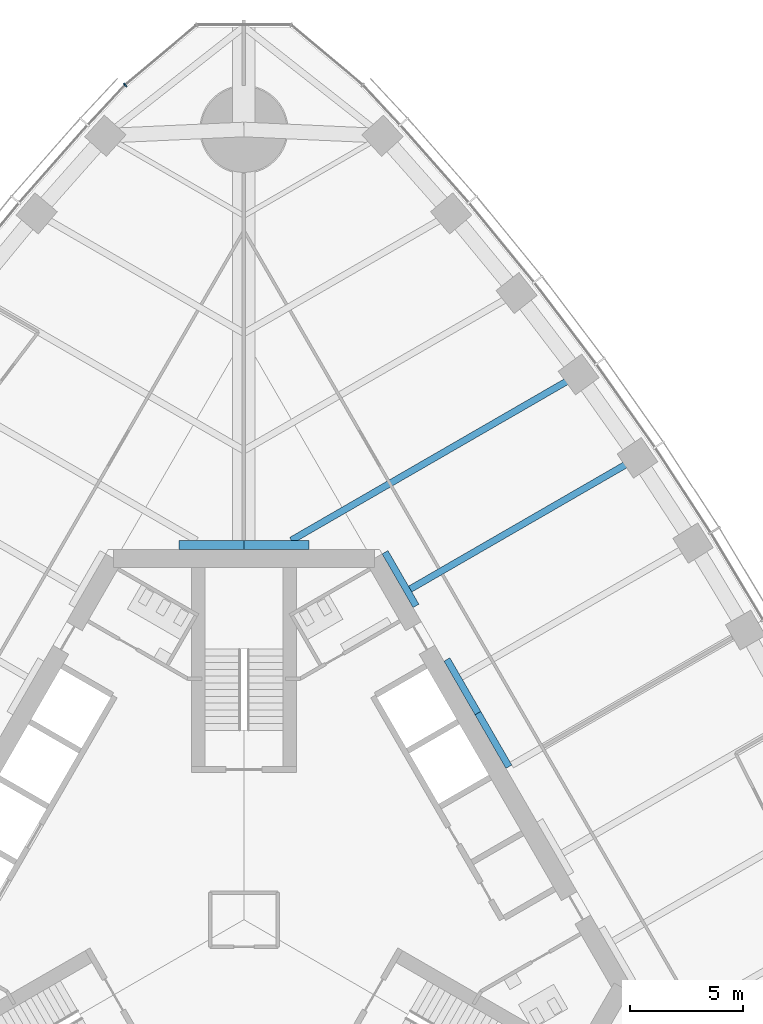
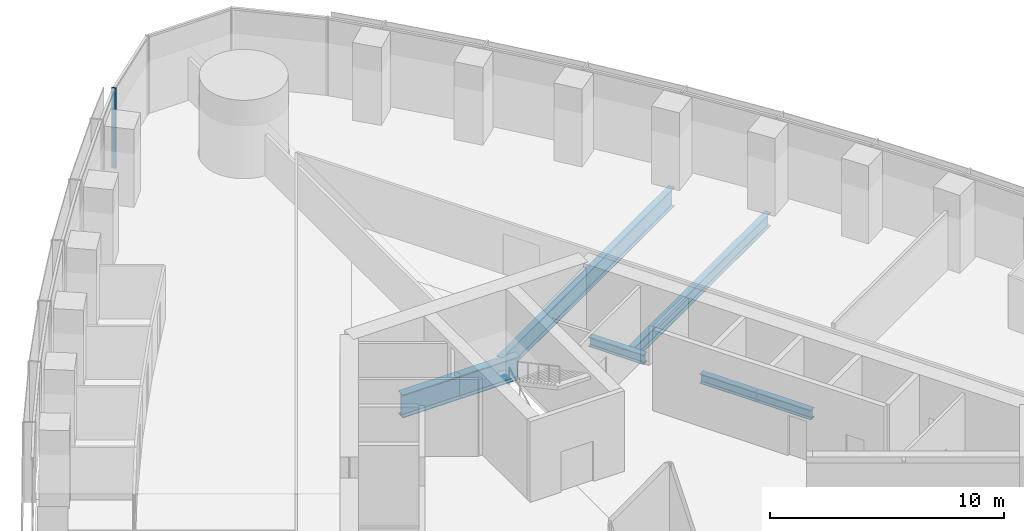
# One storey, part 5 of 19: 7 beams, 1 member, 1 element without a shape of its own.
"""IFC4 building model written with IfcOpenShell, lengths in metres."""

from ifc_helpers import new_model, si_unit, direction, frame, origin, origin_2d, place, context, subcontext, project, spatial, rectangle, i_section, extrude, material, material_profile, profile_set, type_object, element, aggregate, save


model = new_model("IFC4")

# Units and contexts
model_context = context("Model", 3, precision=1e-05, world=origin(), true_north=direction((0.0, 1.0)))
body_context = subcontext(model_context, "Body", "Model", "MODEL_VIEW")
ifc_project = project(units=[si_unit("LENGTHUNIT", "METRE"), si_unit("AREAUNIT", "SQUARE_METRE"), si_unit("VOLUMEUNIT", "CUBIC_METRE"), si_unit("PLANEANGLEUNIT", "RADIAN"), si_unit("MASSUNIT", "GRAM", prefix="KILO")], contexts=[model_context])

# Site, building, storey
site_placement = place(None, origin())
site = spatial("IfcSite", under=ifc_project, at=site_placement, CompositionType="ELEMENT")
building_placement = place(site_placement, origin())
building = spatial("IfcBuilding", under=site, at=building_placement, Name="Trefoil Bronze Tower", CompositionType="ELEMENT")
storey_placement = place(building_placement, frame((0.0, 0.0, 128.300048828125)))
storey = spatial("IfcBuildingStorey", under=building, at=storey_placement, Name="L29", CompositionType="ELEMENT", Elevation=128.300048828125)

# Curtain wall, member
ifc_material_1 = material(Name="Tinted solar-control glass", Category="glass")
curtain_wall_type = type_object("IfcCurtainWallType", Name="Bronze rounded corner curtain wall", PredefinedType="USERDEFINED", material=ifc_material_1)
curtain_wall_placement = place(storey_placement, origin())
curtain_wall = element("IfcCurtainWall", 1, at=curtain_wall_placement, inside=storey, type_object=curtain_wall_type, Name="CW-B L29 K2", ObjectType="CURTAIN WALL", PredefinedType="USERDEFINED")
ifc_material_2 = material(Name="Bronze-finish aluminium", Category="aluminium")
ifc_material_profile_1 = material_profile(ifc_material_2, rectangle(XDim=0.199951171875, YDim=0.06005859375, at=origin_2d()), Name="CW-B mullion")
ifc_profile_set_1 = profile_set([ifc_material_profile_1], Name="Bronze-finish aluminium")
member_type = type_object("IfcMemberType", Name="Bronze rounded corner curtain wall mullion", PredefinedType="MULLION", material=ifc_profile_set_1)
member_placement = place(storey_placement, frame((-5.260498046875, 36.975830078125, 0.0), z_axis=(0.0, 0.0, 1.0), x_axis=(0.642787609687, -0.766044443119, 0.0)))
member = element("IfcMember", 2, at=member_placement, type_object=member_type, Name="CW-B L29 K2 mullion 4", PredefinedType="MULLION", context=body_context, shape_type="SweptSolid", body=[
    extrude(rectangle(XDim=0.199951171875, YDim=0.06005859375, at=origin_2d()), origin(), (0.0, 0.0, 1.0), 4.179931640625),
])
aggregate(curtain_wall, [member])

# Beams
ifc_material_3 = material(Name="Steel C355", Category="steel")
ifc_material_profile_2 = material_profile(ifc_material_3, i_section(OverallWidth=0.300048828125, OverallDepth=0.5, WebThickness=0.014404296875, FlangeThickness=0.028076171875, FilletRadius=0.027099609375, at=origin_2d()), Name="HEB 500")
ifc_profile_set_2 = profile_set([ifc_material_profile_2], Name="Steel C355")
beam_type_1 = type_object("IfcBeamType", Name="Core seat beam HEB 500", PredefinedType="BEAM", material=ifc_profile_set_2)
for number, where, z_axis, x_axis, name in (
    (3, (11.734619140625, 6.77490234375, -0.449951171875), (-0.499969057507, 0.866043267704, 0.0), (-0.866043267704, -0.499969057507, 0.0), "Core seat beam F2/+0 L29"),
    (4, (10.363525390625, 9.14990234375, -0.449951171875), (-0.500035825175, 0.866004719122, 0.0), (-0.866004719122, -0.500035825175, 0.0), "Core seat beam F2/+1 L29"),
    (5, (7.62109375, 13.89990234375, -0.449951171875), (-0.500035825175, 0.866004719122, 0.0), (-0.866004719122, -0.500035825175, 0.0), "Core seat beam F2/+2 L29"),
):
    element("IfcBeam", number, at=place(storey_placement, frame(where, z_axis=z_axis, x_axis=x_axis)), inside=storey, type_object=beam_type_1, Name=name, PredefinedType="BEAM", context=body_context, shape_type="SweptSolid", body=[
        extrude(i_section(OverallWidth=0.300048828125, OverallDepth=0.5, WebThickness=0.014404296875, FlangeThickness=0.028076171875, FilletRadius=0.027099609375, at=origin_2d()), origin(), (0.0, 0.0, 1.0), 2.742431640625),
    ])
ifc_material_4 = material(Name="Steel C355", Category="steel")
ifc_material_profile_3 = material_profile(ifc_material_4, i_section(OverallWidth=0.39990234375, OverallDepth=1.199951171875, WebThickness=0.02001953125, FlangeThickness=0.0400390625, FilletRadius=0.010009765625, at=origin_2d()), Name="WPG 1200")
ifc_profile_set_3 = profile_set([ifc_material_profile_3], Name="Steel C355")
beam_type_2 = type_object("IfcBeamType", Name="Core seat beam WPG 1200", PredefinedType="BEAM", material=ifc_profile_set_3)
for number, where, z_axis, x_axis, name in (
    (6, (2.88671875, 16.60009765625, -0.800048828125), (-1.0, 0.0, 0.0), (0.0, -1.0, 0.0), "Core seat beam F2/+3 L29"),
    (7, (0.0, 16.60009765625, -0.800048828125), (-1.0, 0.0, 0.0), (0.0, -1.0, 0.0), "Core seat beam F3/-3 L29"),
):
    element("IfcBeam", number, at=place(storey_placement, frame(where, z_axis=z_axis, x_axis=x_axis)), inside=storey, type_object=beam_type_2, Name=name, PredefinedType="BEAM", context=body_context, shape_type="SweptSolid", body=[
        extrude(i_section(OverallWidth=0.39990234375, OverallDepth=1.199951171875, WebThickness=0.02001953125, FlangeThickness=0.0400390625, FilletRadius=0.010009765625, at=origin_2d()), origin(), (0.0, 0.0, 1.0), 2.88671875),
    ])
ifc_material_5 = material(Name="Steel C355", Category="steel")
ifc_material_profile_4 = material_profile(ifc_material_5, i_section(OverallWidth=0.300048828125, OverallDepth=1.0, WebThickness=0.01904296875, FlangeThickness=0.035888671875, FilletRadius=0.030029296875, at=origin_2d()), Name="HEB 1000")
ifc_profile_set_4 = profile_set([ifc_material_profile_4], Name="Steel C355")
beam_type_3 = type_object("IfcBeamType", Name="Floor beam HEB 1000", PredefinedType="BEAM", material=ifc_profile_set_4)
beam_1_placement = place(storey_placement, frame((14.825439453125, 24.14794921875, -0.699951171875), z_axis=(-0.866027342682, -0.499996641717, 0.0), x_axis=(0.499996641717, -0.866027342682, 0.0)))
element("IfcBeam", 8, at=beam_1_placement, inside=storey, type_object=beam_type_3, Name="Floor beam F2/+3 L29", PredefinedType="BEAM", context=body_context, shape_type="SweptSolid", body=[
    extrude(i_section(OverallWidth=0.300048828125, OverallDepth=1.0, WebThickness=0.01904296875, FlangeThickness=0.035888671875, FilletRadius=0.030029296875, at=origin_2d()), origin(), (0.0, 0.0, 1.0), 14.69580078125),
])
ifc_material_6 = material(Name="Steel C355", Category="steel")
ifc_material_profile_5 = material_profile(ifc_material_6, i_section(OverallWidth=0.300048828125, OverallDepth=0.699951171875, WebThickness=0.01708984375, FlangeThickness=0.031982421875, FilletRadius=0.027099609375, at=origin_2d()), Name="HEB 700")
ifc_profile_set_5 = profile_set([ifc_material_profile_5], Name="Steel C355")
beam_type_4 = type_object("IfcBeamType", Name="Floor beam HEB 700", PredefinedType="BEAM", material=ifc_profile_set_5)
beam_2_placement = place(storey_placement, frame((17.43017578125, 20.45556640625, -0.550048828125), z_axis=(-0.866030626868, -0.499990953245, 0.0), x_axis=(0.499990953245, -0.866030626868, 0.0)))
element("IfcBeam", 9, at=beam_2_placement, inside=storey, type_object=beam_type_4, Name="Floor beam F2/+2 L29", PredefinedType="BEAM", context=body_context, shape_type="SweptSolid", body=[
    extrude(i_section(OverallWidth=0.300048828125, OverallDepth=0.699951171875, WebThickness=0.01708984375, FlangeThickness=0.031982421875, FilletRadius=0.027099609375, at=origin_2d()), origin(), (0.0, 0.0, 1.0), 11.622802734375),
])

save(model, "model.ifc")
